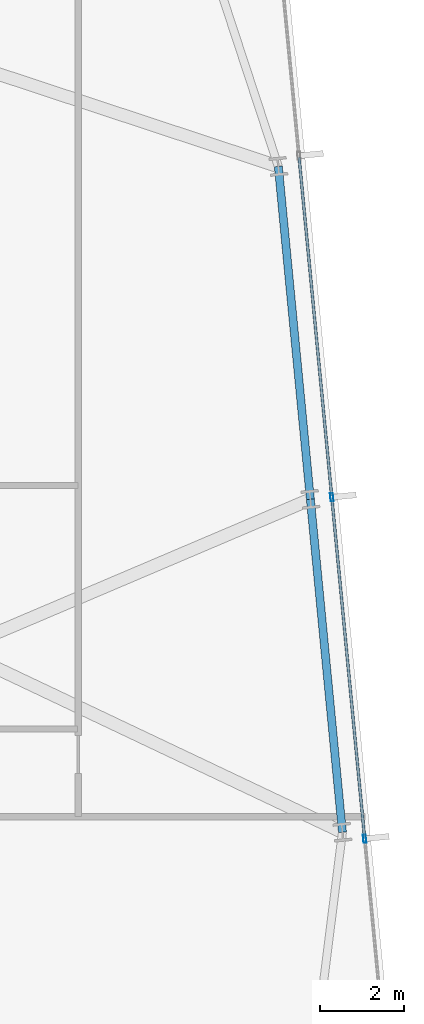
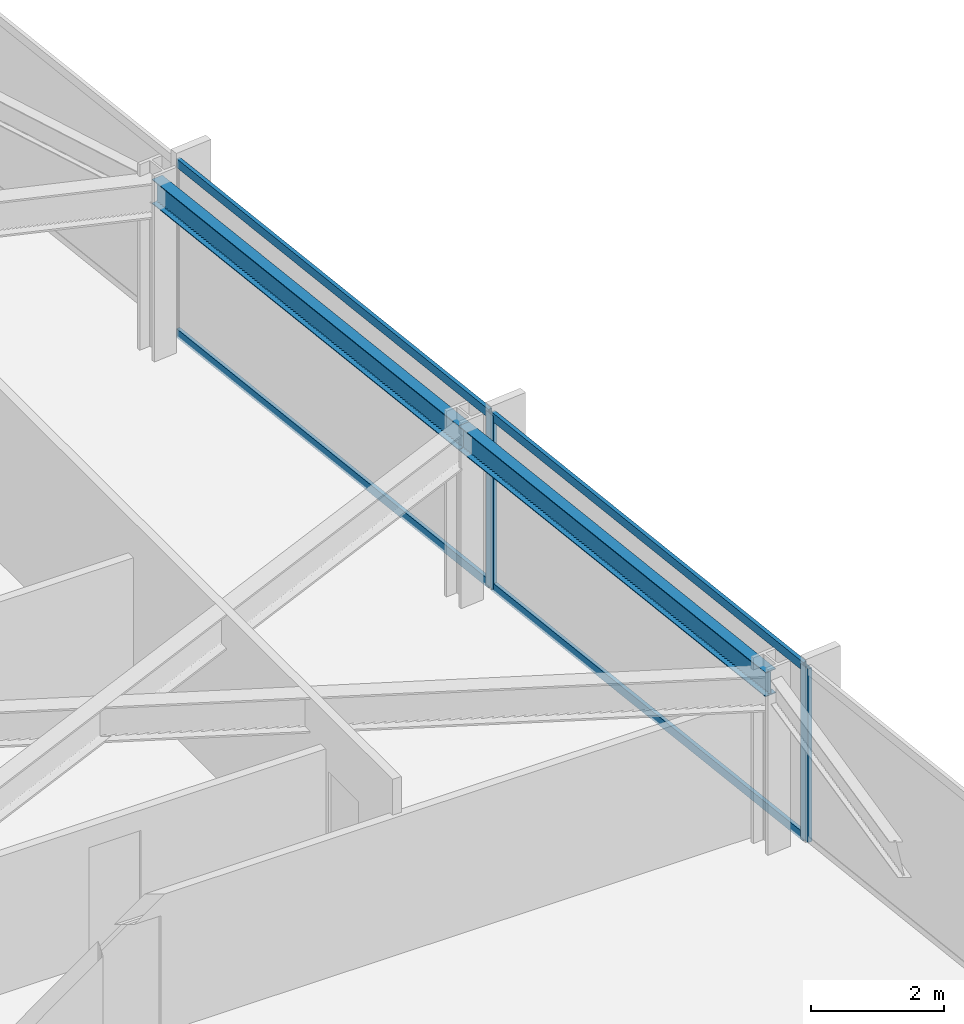
# One storey, part 16 of 32: 6 members, 2 beams, 1 element without a shape of its own.
"""IFC4 building model written with IfcOpenShell, lengths in metres."""

from ifc_helpers import new_model, si_unit, direction, frame, origin, origin_2d, place, context, subcontext, project, spatial, hollow_rectangle, i_section, extrude, material, material_profile, profile_set, type_object, element, aggregate, save


model = new_model("IFC4")

# Units and contexts
model_context = context("Model", 3, precision=1e-05, world=origin(), true_north=direction((0.0, 1.0)))
body_context = subcontext(model_context, "Body", "Model", "MODEL_VIEW")
ifc_project = project(units=[si_unit("LENGTHUNIT", "METRE"), si_unit("AREAUNIT", "SQUARE_METRE"), si_unit("VOLUMEUNIT", "CUBIC_METRE"), si_unit("PLANEANGLEUNIT", "RADIAN"), si_unit("MASSUNIT", "GRAM", prefix="KILO")], contexts=[model_context])

# Site, building, storey
site_placement = place(None, origin())
site = spatial("IfcSite", under=ifc_project, at=site_placement, CompositionType="ELEMENT")
building_placement = place(site_placement, origin())
building = spatial("IfcBuilding", under=site, at=building_placement, Name="Yelkora Congress Tower", CompositionType="ELEMENT")
storey_placement = place(building_placement, frame((0.0, 0.0, 93.10009765625)))
storey = spatial("IfcBuildingStorey", under=building, at=storey_placement, Name="L24", CompositionType="ELEMENT", Elevation=93.10009765625)

# Beams
ifc_material_1 = material(Name="Steel S355J2", Category="steel")
ifc_material_profile_1 = material_profile(ifc_material_1, i_section(OverallWidth=0.18994140625, OverallDepth=0.449951171875, WebThickness=0.009521484375, FlangeThickness=0.0146484375, FilletRadius=0.02099609375, at=origin_2d()), Name="IPE 450")
ifc_profile_set_1 = profile_set([ifc_material_profile_1], Name="Steel S355J2")
beam_type = type_object("IfcBeamType", Name="BM-SPAN-IPE450", PredefinedType="SPANDREL", material=ifc_profile_set_1)
beam_1_placement = place(storey_placement, frame((76.041259765625, 24.83349609375, 2.954833984375), z_axis=(-0.095839787071, 0.995396772757, 0.0), x_axis=(-0.995396772757, -0.095839787071, 0.0)))
element("IfcBeam", 1, at=beam_1_placement, inside=storey, type_object=beam_type, Name="L24 Perimeter Beam 11", PredefinedType="SPANDREL", context=body_context, shape_type="SweptSolid", body=[
    extrude(i_section(OverallWidth=0.18994140625, OverallDepth=0.449951171875, WebThickness=0.009521484375, FlangeThickness=0.0146484375, FilletRadius=0.02099609375, at=origin_2d()), origin(), (0.0, 0.0, 1.0), 7.9248046875),
])
beam_2_placement = place(storey_placement, frame((75.28173828125, 32.721923828125, 2.954833984375), z_axis=(-0.09583684824, 0.995397055712, 0.0), x_axis=(-0.995397055712, -0.09583684824, 0.0)))
element("IfcBeam", 2, at=beam_2_placement, inside=storey, type_object=beam_type, Name="L24 Perimeter Beam 12", PredefinedType="SPANDREL", context=body_context, shape_type="SweptSolid", body=[
    extrude(i_section(OverallWidth=0.18994140625, OverallDepth=0.449951171875, WebThickness=0.009521484375, FlangeThickness=0.0146484375, FilletRadius=0.02099609375, at=origin_2d()), origin(), (0.0, 0.0, 1.0), 7.925048828125),
])

# Curtain wall, members
ifc_material_2 = material(Name="Anodised aluminium and insulated glass", Category="aluminium")
curtain_wall_type = type_object("IfcCurtainWallType", Name="CW-SYS-B2", PredefinedType="NOTDEFINED", material=ifc_material_2)
curtain_wall_placement = place(storey_placement, origin())
curtain_wall = element("IfcCurtainWall", 3, at=curtain_wall_placement, inside=storey, type_object=curtain_wall_type, Name="L24 Unitised Curtain Wall 15", PredefinedType="NOTDEFINED")
ifc_material_3 = material(Name="Anodised aluminium 6063-T6", Category="aluminium")
ifc_material_profile_2 = material_profile(ifc_material_3, hollow_rectangle(XDim=0.070068359375, YDim=0.18994140625, WallThickness=0.00390625, at=origin_2d()), Name="ALU 70x190x4")
ifc_profile_set_2 = profile_set([ifc_material_profile_2], Name="Anodised aluminium 6063-T6")
member_type_1 = type_object("IfcMemberType", Name="MEM-ML-B2", PredefinedType="MULLION", material=ifc_profile_set_2)
member_1_placement = place(storey_placement, frame((75.789306640625, 32.770751953125, 0.0), z_axis=(0.0, 0.0, 1.0), x_axis=(0.995396507508, 0.095842541913, 0.0)))
member_1 = element("IfcMember", 4, at=member_1_placement, type_object=member_type_1, Name="CW-B2 mullion 3", PredefinedType="MULLION", context=body_context, shape_type="SweptSolid", body=[
    extrude(hollow_rectangle(XDim=0.070068359375, YDim=0.18994140625, WallThickness=0.00390625, at=origin_2d()), origin(), (0.0, 0.0, 1.0), 3.179931640625),
])
member_2_placement = place(storey_placement, frame((76.568603515625, 24.67822265625, 0.0), z_axis=(0.0, 0.0, 1.0), x_axis=(0.995396507508, 0.095842541913, 0.0)))
member_2 = element("IfcMember", 5, at=member_2_placement, type_object=member_type_1, Name="CW-B2 mullion 4", PredefinedType="MULLION", context=body_context, shape_type="SweptSolid", body=[
    extrude(hollow_rectangle(XDim=0.070068359375, YDim=0.18994140625, WallThickness=0.00390625, at=origin_2d()), origin(), (0.0, 0.0, 1.0), 3.179931640625),
])
ifc_material_profile_3 = material_profile(ifc_material_3, hollow_rectangle(XDim=0.06494140625, YDim=0.159912109375, WallThickness=0.00390625, at=origin_2d()), Name="ALU 65x160x4")
ifc_profile_set_3 = profile_set([ifc_material_profile_3], Name="Anodised aluminium 6063-T6")
member_type_2 = type_object("IfcMemberType", Name="MEM-TR-B2", PredefinedType="USERDEFINED", material=ifc_profile_set_3)
member_3_placement = place(storey_placement, frame((75.013427734375, 40.82861328125, 0.032470703125), z_axis=(0.095838228465, -0.995396922823, 0.0), x_axis=(0.995396922823, 0.095838228465, 0.0)))
member_3 = element("IfcMember", 6, at=member_3_placement, type_object=member_type_2, Name="CW-B2 transom 2.1", ObjectType="TRANSOM", PredefinedType="USERDEFINED", context=body_context, shape_type="SweptSolid", body=[
    extrude(hollow_rectangle(XDim=0.06494140625, YDim=0.159912109375, WallThickness=0.00390625, at=origin_2d()), origin(), (0.0, 0.0, 1.0), 8.06005859375),
])
member_4_placement = place(storey_placement, frame((75.013427734375, 40.82861328125, 3.1474609375), z_axis=(0.095838228465, -0.995396922823, 0.0), x_axis=(0.995396922823, 0.095838228465, 0.0)))
member_4 = element("IfcMember", 7, at=member_4_placement, type_object=member_type_2, Name="CW-B2 transom 2.2", ObjectType="TRANSOM", PredefinedType="USERDEFINED", context=body_context, shape_type="SweptSolid", body=[
    extrude(hollow_rectangle(XDim=0.06494140625, YDim=0.159912109375, WallThickness=0.00390625, at=origin_2d()), origin(), (0.0, 0.0, 1.0), 8.06005859375),
])
member_5_placement = place(storey_placement, frame((75.792724609375, 32.736083984375, 0.032470703125), z_axis=(0.095838228465, -0.995396922823, 0.0), x_axis=(0.995396922823, 0.095838228465, 0.0)))
member_5 = element("IfcMember", 8, at=member_5_placement, type_object=member_type_2, Name="CW-B2 transom 3.1", ObjectType="TRANSOM", PredefinedType="USERDEFINED", context=body_context, shape_type="SweptSolid", body=[
    extrude(hollow_rectangle(XDim=0.06494140625, YDim=0.159912109375, WallThickness=0.00390625, at=origin_2d()), origin(), (0.0, 0.0, 1.0), 8.06005859375),
])
member_6_placement = place(storey_placement, frame((75.792724609375, 32.736083984375, 3.1474609375), z_axis=(0.095838228465, -0.995396922823, 0.0), x_axis=(0.995396922823, 0.095838228465, 0.0)))
member_6 = element("IfcMember", 9, at=member_6_placement, type_object=member_type_2, Name="CW-B2 transom 3.2", ObjectType="TRANSOM", PredefinedType="USERDEFINED", context=body_context, shape_type="SweptSolid", body=[
    extrude(hollow_rectangle(XDim=0.06494140625, YDim=0.159912109375, WallThickness=0.00390625, at=origin_2d()), origin(), (0.0, 0.0, 1.0), 8.06005859375),
])
aggregate(curtain_wall, [member_1, member_2, member_3, member_4, member_5, member_6])

save(model, "model.ifc")
